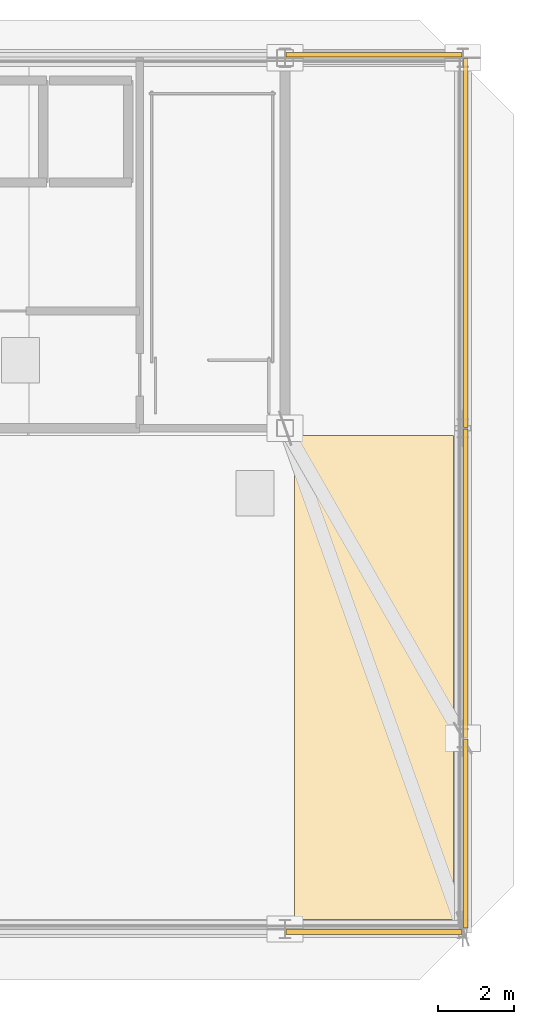
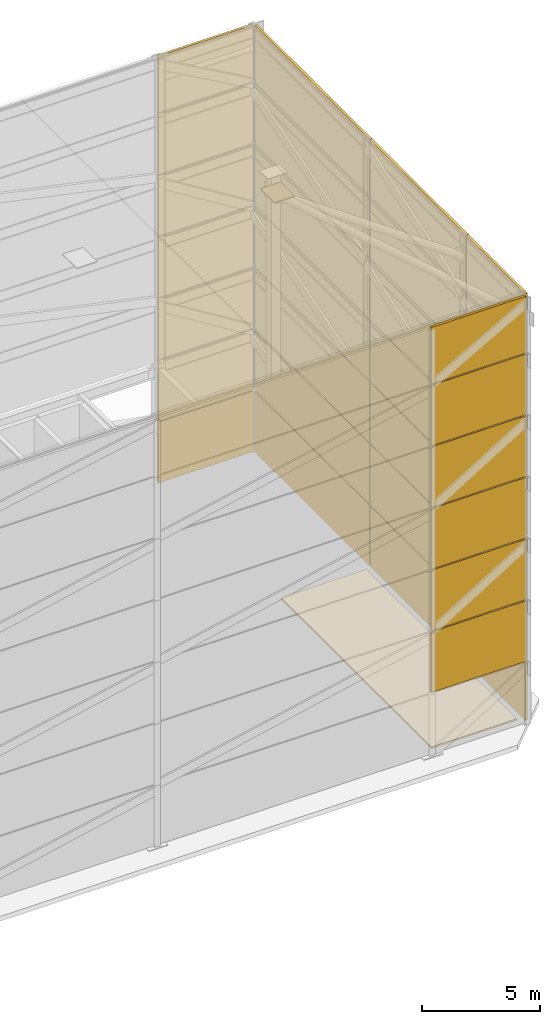
# One storey, part 8 of 8: 34 shading devices, 1 covering.
"""IFC4 building model written with IfcOpenShell, lengths in metres."""

from ifc_helpers import new_model, si_unit, direction, frame, origin, origin_2d, place, context, subcontext, project, spatial, polyline, rectangle, outline, extrude, material, layer, layer_set, type_object, element, save


model = new_model("IFC4")

# Units and contexts
model_context = context("Model", 3, precision=1e-05, world=origin(), true_north=direction((0.0, 1.0)))
body_context = subcontext(model_context, "Body", "Model", "MODEL_VIEW")
ifc_project = project(units=[si_unit("LENGTHUNIT", "METRE"), si_unit("AREAUNIT", "SQUARE_METRE"), si_unit("VOLUMEUNIT", "CUBIC_METRE"), si_unit("PLANEANGLEUNIT", "RADIAN"), si_unit("MASSUNIT", "GRAM", prefix="KILO")], contexts=[model_context])

# Site, building, storey
site_placement = place(None, origin())
site = spatial("IfcSite", under=ifc_project, at=site_placement, CompositionType="ELEMENT")
building_placement = place(site_placement, origin())
building = spatial("IfcBuilding", under=site, at=building_placement, Name="Haevon Station Towers", CompositionType="ELEMENT")
storey_placement = place(building_placement, frame((0.0, 0.0, 270.0)))
storey = spatial("IfcBuildingStorey", under=building, at=storey_placement, Name="Roof", CompositionType="ELEMENT", Elevation=270.0)

# Covering
ifc_material_1 = material(Name="SBS modified bitumen roofing", Category="concrete")
ifc_layer_1 = layer(ifc_material_1, 0.080078125)
ifc_layer_set_1 = layer_set([ifc_layer_1], Name="SBS modified bitumen roofing")
covering_type = type_object("IfcCoveringType", Name="COV-ROOF80", PredefinedType="ROOFING", material=ifc_layer_set_1)
covering_placement = place(storey_placement, origin())
element("IfcCovering", 1, at=covering_placement, inside=storey, type_object=covering_type, Name="Roof Waterproofing Membrane 04", PredefinedType="ROOFING", context=body_context, shape_type="SweptSolid", body=[
    extrude(outline(polyline([(51.25, 25.199951171875), (55.449951171875, 25.199951171875), (55.449951171875, 38.0), (51.25, 38.0), (51.25, 25.199951171875)])), origin(), (0.0, 0.0, 1.0), 0.080078125),
])

# Shading devices
ifc_material_2 = material(Name="Anodised aluminium 6063-T6", Category="aluminium")
ifc_layer_2 = layer(ifc_material_2, 0.1201171875)
ifc_layer_set_2 = layer_set([ifc_layer_2], Name="Anodised aluminium 6063-T6")
shading_device_type = type_object("IfcShadingDeviceType", Name="SHD-CRN-LOUVRE", PredefinedType="JALOUSIE", material=ifc_layer_set_2)
shading_device_1_placement = place(storey_placement, frame((55.780029296875, 27.47509765625, 0.0302734375), z_axis=(0.0, 0.0, 1.0), x_axis=(0.0, 1.0, 0.0)))
element("IfcShadingDevice", 2, at=shading_device_1_placement, inside=storey, type_object=shading_device_type, Name="Crown Acoustic Louvre Screen T1-05", PredefinedType="JALOUSIE", context=body_context, shape_type="SweptSolid", body=[
    extrude(rectangle(XDim=5.010009765625, YDim=0.1201171875, at=origin_2d()), origin(), (0.0, 0.0, 1.0), 3.139892578125),
])
shading_device_2_placement = place(storey_placement, frame((55.780029296875, 34.10009765625, 0.0302734375), z_axis=(0.0, 0.0, 1.0), x_axis=(0.0, 1.0, 0.0)))
element("IfcShadingDevice", 3, at=shading_device_2_placement, inside=storey, type_object=shading_device_type, Name="Crown Acoustic Louvre Screen T1-06", PredefinedType="JALOUSIE", context=body_context, shape_type="SweptSolid", body=[
    extrude(rectangle(XDim=8.159912109375, YDim=0.1201171875, at=origin_2d()), origin(), (0.0, 0.0, 1.0), 3.139892578125),
])
shading_device_3_placement = place(storey_placement, frame((55.780029296875, 43.10009765625, 0.0302734375), z_axis=(0.0, 0.0, 1.0), x_axis=(0.0, 1.0, 0.0)))
element("IfcShadingDevice", 4, at=shading_device_3_placement, inside=storey, type_object=shading_device_type, Name="Crown Acoustic Louvre Screen T1-07", PredefinedType="JALOUSIE", context=body_context, shape_type="SweptSolid", body=[
    extrude(rectangle(XDim=9.760009765625, YDim=0.1201171875, at=origin_2d()), origin(), (0.0, 0.0, 1.0), 3.139892578125),
])
for number, where, z_axis, x_axis, name in (
    (5, (53.35009765625, 48.080078125, 0.0302734375), (0.0, 0.0, 1.0), (-1.0, 0.0, 0.0), "Crown Acoustic Louvre Screen T1-08"),
    (6, (53.35009765625, 24.8701171875, 3.22998046875), (0.0, 0.0, 1.0), (1.0, 0.0, 0.0), "Crown Acoustic Louvre Screen T2-04"),
):
    element("IfcShadingDevice", number, at=place(storey_placement, frame(where, z_axis=z_axis, x_axis=x_axis)), inside=storey, type_object=shading_device_type, Name=name, PredefinedType="JALOUSIE", context=body_context, shape_type="SweptSolid", body=[
        extrude(rectangle(XDim=4.659912109375, YDim=0.1201171875, at=origin_2d()), origin(), (0.0, 0.0, 1.0), 3.139892578125),
    ])
shading_device_4_placement = place(storey_placement, frame((55.780029296875, 27.47509765625, 3.22998046875), z_axis=(0.0, 0.0, 1.0), x_axis=(0.0, 1.0, 0.0)))
element("IfcShadingDevice", 7, at=shading_device_4_placement, inside=storey, type_object=shading_device_type, Name="Crown Acoustic Louvre Screen T2-05", PredefinedType="JALOUSIE", context=body_context, shape_type="SweptSolid", body=[
    extrude(rectangle(XDim=5.010009765625, YDim=0.1201171875, at=origin_2d()), origin(), (0.0, 0.0, 1.0), 3.139892578125),
])
shading_device_5_placement = place(storey_placement, frame((55.780029296875, 34.10009765625, 3.22998046875), z_axis=(0.0, 0.0, 1.0), x_axis=(0.0, 1.0, 0.0)))
element("IfcShadingDevice", 8, at=shading_device_5_placement, inside=storey, type_object=shading_device_type, Name="Crown Acoustic Louvre Screen T2-06", PredefinedType="JALOUSIE", context=body_context, shape_type="SweptSolid", body=[
    extrude(rectangle(XDim=8.159912109375, YDim=0.1201171875, at=origin_2d()), origin(), (0.0, 0.0, 1.0), 3.139892578125),
])
shading_device_6_placement = place(storey_placement, frame((55.780029296875, 43.10009765625, 3.22998046875), z_axis=(0.0, 0.0, 1.0), x_axis=(0.0, 1.0, 0.0)))
element("IfcShadingDevice", 9, at=shading_device_6_placement, inside=storey, type_object=shading_device_type, Name="Crown Acoustic Louvre Screen T2-07", PredefinedType="JALOUSIE", context=body_context, shape_type="SweptSolid", body=[
    extrude(rectangle(XDim=9.760009765625, YDim=0.1201171875, at=origin_2d()), origin(), (0.0, 0.0, 1.0), 3.139892578125),
])
for number, where, z_axis, x_axis, name in (
    (10, (53.35009765625, 48.080078125, 3.22998046875), (0.0, 0.0, 1.0), (-1.0, 0.0, 0.0), "Crown Acoustic Louvre Screen T2-08"),
    (11, (53.35009765625, 24.8701171875, 6.43017578125), (0.0, 0.0, 1.0), (1.0, 0.0, 0.0), "Crown Acoustic Louvre Screen T3-04"),
):
    element("IfcShadingDevice", number, at=place(storey_placement, frame(where, z_axis=z_axis, x_axis=x_axis)), inside=storey, type_object=shading_device_type, Name=name, PredefinedType="JALOUSIE", context=body_context, shape_type="SweptSolid", body=[
        extrude(rectangle(XDim=4.659912109375, YDim=0.1201171875, at=origin_2d()), origin(), (0.0, 0.0, 1.0), 3.139892578125),
    ])
shading_device_7_placement = place(storey_placement, frame((55.780029296875, 27.47509765625, 6.43017578125), z_axis=(0.0, 0.0, 1.0), x_axis=(0.0, 1.0, 0.0)))
element("IfcShadingDevice", 12, at=shading_device_7_placement, inside=storey, type_object=shading_device_type, Name="Crown Acoustic Louvre Screen T3-05", PredefinedType="JALOUSIE", context=body_context, shape_type="SweptSolid", body=[
    extrude(rectangle(XDim=5.010009765625, YDim=0.1201171875, at=origin_2d()), origin(), (0.0, 0.0, 1.0), 3.139892578125),
])
shading_device_8_placement = place(storey_placement, frame((55.780029296875, 34.10009765625, 6.43017578125), z_axis=(0.0, 0.0, 1.0), x_axis=(0.0, 1.0, 0.0)))
element("IfcShadingDevice", 13, at=shading_device_8_placement, inside=storey, type_object=shading_device_type, Name="Crown Acoustic Louvre Screen T3-06", PredefinedType="JALOUSIE", context=body_context, shape_type="SweptSolid", body=[
    extrude(rectangle(XDim=8.159912109375, YDim=0.1201171875, at=origin_2d()), origin(), (0.0, 0.0, 1.0), 3.139892578125),
])
shading_device_9_placement = place(storey_placement, frame((55.780029296875, 43.10009765625, 6.43017578125), z_axis=(0.0, 0.0, 1.0), x_axis=(0.0, 1.0, 0.0)))
element("IfcShadingDevice", 14, at=shading_device_9_placement, inside=storey, type_object=shading_device_type, Name="Crown Acoustic Louvre Screen T3-07", PredefinedType="JALOUSIE", context=body_context, shape_type="SweptSolid", body=[
    extrude(rectangle(XDim=9.760009765625, YDim=0.1201171875, at=origin_2d()), origin(), (0.0, 0.0, 1.0), 3.139892578125),
])
for number, where, z_axis, x_axis, name in (
    (15, (53.35009765625, 48.080078125, 6.43017578125), (0.0, 0.0, 1.0), (-1.0, 0.0, 0.0), "Crown Acoustic Louvre Screen T3-08"),
    (16, (53.35009765625, 24.8701171875, 9.6298828125), (0.0, 0.0, 1.0), (1.0, 0.0, 0.0), "Crown Acoustic Louvre Screen T4-04"),
):
    element("IfcShadingDevice", number, at=place(storey_placement, frame(where, z_axis=z_axis, x_axis=x_axis)), inside=storey, type_object=shading_device_type, Name=name, PredefinedType="JALOUSIE", context=body_context, shape_type="SweptSolid", body=[
        extrude(rectangle(XDim=4.659912109375, YDim=0.1201171875, at=origin_2d()), origin(), (0.0, 0.0, 1.0), 3.139892578125),
    ])
shading_device_10_placement = place(storey_placement, frame((55.780029296875, 27.47509765625, 9.6298828125), z_axis=(0.0, 0.0, 1.0), x_axis=(0.0, 1.0, 0.0)))
element("IfcShadingDevice", 17, at=shading_device_10_placement, inside=storey, type_object=shading_device_type, Name="Crown Acoustic Louvre Screen T4-05", PredefinedType="JALOUSIE", context=body_context, shape_type="SweptSolid", body=[
    extrude(rectangle(XDim=5.010009765625, YDim=0.1201171875, at=origin_2d()), origin(), (0.0, 0.0, 1.0), 3.139892578125),
])
shading_device_11_placement = place(storey_placement, frame((55.780029296875, 34.10009765625, 9.6298828125), z_axis=(0.0, 0.0, 1.0), x_axis=(0.0, 1.0, 0.0)))
element("IfcShadingDevice", 18, at=shading_device_11_placement, inside=storey, type_object=shading_device_type, Name="Crown Acoustic Louvre Screen T4-06", PredefinedType="JALOUSIE", context=body_context, shape_type="SweptSolid", body=[
    extrude(rectangle(XDim=8.159912109375, YDim=0.1201171875, at=origin_2d()), origin(), (0.0, 0.0, 1.0), 3.139892578125),
])
shading_device_12_placement = place(storey_placement, frame((55.780029296875, 43.10009765625, 9.6298828125), z_axis=(0.0, 0.0, 1.0), x_axis=(0.0, 1.0, 0.0)))
element("IfcShadingDevice", 19, at=shading_device_12_placement, inside=storey, type_object=shading_device_type, Name="Crown Acoustic Louvre Screen T4-07", PredefinedType="JALOUSIE", context=body_context, shape_type="SweptSolid", body=[
    extrude(rectangle(XDim=9.760009765625, YDim=0.1201171875, at=origin_2d()), origin(), (0.0, 0.0, 1.0), 3.139892578125),
])
for number, where, z_axis, x_axis, name in (
    (20, (53.35009765625, 48.080078125, 9.6298828125), (0.0, 0.0, 1.0), (-1.0, 0.0, 0.0), "Crown Acoustic Louvre Screen T4-08"),
    (21, (53.35009765625, 24.8701171875, 12.830078125), (0.0, 0.0, 1.0), (1.0, 0.0, 0.0), "Crown Acoustic Louvre Screen T5-04"),
):
    element("IfcShadingDevice", number, at=place(storey_placement, frame(where, z_axis=z_axis, x_axis=x_axis)), inside=storey, type_object=shading_device_type, Name=name, PredefinedType="JALOUSIE", context=body_context, shape_type="SweptSolid", body=[
        extrude(rectangle(XDim=4.659912109375, YDim=0.1201171875, at=origin_2d()), origin(), (0.0, 0.0, 1.0), 3.139892578125),
    ])
shading_device_13_placement = place(storey_placement, frame((55.780029296875, 27.47509765625, 12.830078125), z_axis=(0.0, 0.0, 1.0), x_axis=(0.0, 1.0, 0.0)))
element("IfcShadingDevice", 22, at=shading_device_13_placement, inside=storey, type_object=shading_device_type, Name="Crown Acoustic Louvre Screen T5-05", PredefinedType="JALOUSIE", context=body_context, shape_type="SweptSolid", body=[
    extrude(rectangle(XDim=5.010009765625, YDim=0.1201171875, at=origin_2d()), origin(), (0.0, 0.0, 1.0), 3.139892578125),
])
shading_device_14_placement = place(storey_placement, frame((55.780029296875, 34.10009765625, 12.830078125), z_axis=(0.0, 0.0, 1.0), x_axis=(0.0, 1.0, 0.0)))
element("IfcShadingDevice", 23, at=shading_device_14_placement, inside=storey, type_object=shading_device_type, Name="Crown Acoustic Louvre Screen T5-06", PredefinedType="JALOUSIE", context=body_context, shape_type="SweptSolid", body=[
    extrude(rectangle(XDim=8.159912109375, YDim=0.1201171875, at=origin_2d()), origin(), (0.0, 0.0, 1.0), 3.139892578125),
])
shading_device_15_placement = place(storey_placement, frame((55.780029296875, 43.10009765625, 12.830078125), z_axis=(0.0, 0.0, 1.0), x_axis=(0.0, 1.0, 0.0)))
element("IfcShadingDevice", 24, at=shading_device_15_placement, inside=storey, type_object=shading_device_type, Name="Crown Acoustic Louvre Screen T5-07", PredefinedType="JALOUSIE", context=body_context, shape_type="SweptSolid", body=[
    extrude(rectangle(XDim=9.760009765625, YDim=0.1201171875, at=origin_2d()), origin(), (0.0, 0.0, 1.0), 3.139892578125),
])
for number, where, z_axis, x_axis, name in (
    (25, (53.35009765625, 48.080078125, 12.830078125), (0.0, 0.0, 1.0), (-1.0, 0.0, 0.0), "Crown Acoustic Louvre Screen T5-08"),
    (26, (53.35009765625, 24.8701171875, 16.0302734375), (0.0, 0.0, 1.0), (1.0, 0.0, 0.0), "Crown Acoustic Louvre Screen T6-04"),
):
    element("IfcShadingDevice", number, at=place(storey_placement, frame(where, z_axis=z_axis, x_axis=x_axis)), inside=storey, type_object=shading_device_type, Name=name, PredefinedType="JALOUSIE", context=body_context, shape_type="SweptSolid", body=[
        extrude(rectangle(XDim=4.659912109375, YDim=0.1201171875, at=origin_2d()), origin(), (0.0, 0.0, 1.0), 3.139892578125),
    ])
shading_device_16_placement = place(storey_placement, frame((55.780029296875, 27.47509765625, 16.0302734375), z_axis=(0.0, 0.0, 1.0), x_axis=(0.0, 1.0, 0.0)))
element("IfcShadingDevice", 27, at=shading_device_16_placement, inside=storey, type_object=shading_device_type, Name="Crown Acoustic Louvre Screen T6-05", PredefinedType="JALOUSIE", context=body_context, shape_type="SweptSolid", body=[
    extrude(rectangle(XDim=5.010009765625, YDim=0.1201171875, at=origin_2d()), origin(), (0.0, 0.0, 1.0), 3.139892578125),
])
shading_device_17_placement = place(storey_placement, frame((55.780029296875, 34.10009765625, 16.0302734375), z_axis=(0.0, 0.0, 1.0), x_axis=(0.0, 1.0, 0.0)))
element("IfcShadingDevice", 28, at=shading_device_17_placement, inside=storey, type_object=shading_device_type, Name="Crown Acoustic Louvre Screen T6-06", PredefinedType="JALOUSIE", context=body_context, shape_type="SweptSolid", body=[
    extrude(rectangle(XDim=8.159912109375, YDim=0.1201171875, at=origin_2d()), origin(), (0.0, 0.0, 1.0), 3.139892578125),
])
shading_device_18_placement = place(storey_placement, frame((55.780029296875, 43.10009765625, 16.0302734375), z_axis=(0.0, 0.0, 1.0), x_axis=(0.0, 1.0, 0.0)))
element("IfcShadingDevice", 29, at=shading_device_18_placement, inside=storey, type_object=shading_device_type, Name="Crown Acoustic Louvre Screen T6-07", PredefinedType="JALOUSIE", context=body_context, shape_type="SweptSolid", body=[
    extrude(rectangle(XDim=9.760009765625, YDim=0.1201171875, at=origin_2d()), origin(), (0.0, 0.0, 1.0), 3.139892578125),
])
shading_device_19_placement = place(storey_placement, frame((53.35009765625, 48.080078125, 16.0302734375), z_axis=(0.0, 0.0, 1.0), x_axis=(-1.0, 0.0, 0.0)))
element("IfcShadingDevice", 30, at=shading_device_19_placement, inside=storey, type_object=shading_device_type, Name="Crown Acoustic Louvre Screen T6-08", PredefinedType="JALOUSIE", context=body_context, shape_type="SweptSolid", body=[
    extrude(rectangle(XDim=4.659912109375, YDim=0.1201171875, at=origin_2d()), origin(), (0.0, 0.0, 1.0), 3.139892578125),
])
shading_device_20_placement = place(storey_placement, frame((53.35009765625, 24.8701171875, 19.22998046875), z_axis=(0.0, 0.0, 1.0), x_axis=(1.0, 0.0, 0.0)))
element("IfcShadingDevice", 31, at=shading_device_20_placement, inside=storey, type_object=shading_device_type, Name="Crown Acoustic Louvre Screen T7-04", PredefinedType="JALOUSIE", context=body_context, shape_type="SweptSolid", body=[
    extrude(rectangle(XDim=4.659912109375, YDim=0.1201171875, at=origin_2d()), origin(), (0.0, 0.0, 1.0), 2.93994140625),
])
shading_device_21_placement = place(storey_placement, frame((55.780029296875, 27.47509765625, 19.22998046875), z_axis=(0.0, 0.0, 1.0), x_axis=(0.0, 1.0, 0.0)))
element("IfcShadingDevice", 32, at=shading_device_21_placement, inside=storey, type_object=shading_device_type, Name="Crown Acoustic Louvre Screen T7-05", PredefinedType="JALOUSIE", context=body_context, shape_type="SweptSolid", body=[
    extrude(rectangle(XDim=5.010009765625, YDim=0.1201171875, at=origin_2d()), origin(), (0.0, 0.0, 1.0), 2.93994140625),
])
shading_device_22_placement = place(storey_placement, frame((55.780029296875, 34.10009765625, 19.22998046875), z_axis=(0.0, 0.0, 1.0), x_axis=(0.0, 1.0, 0.0)))
element("IfcShadingDevice", 33, at=shading_device_22_placement, inside=storey, type_object=shading_device_type, Name="Crown Acoustic Louvre Screen T7-06", PredefinedType="JALOUSIE", context=body_context, shape_type="SweptSolid", body=[
    extrude(rectangle(XDim=8.159912109375, YDim=0.1201171875, at=origin_2d()), origin(), (0.0, 0.0, 1.0), 2.93994140625),
])
shading_device_23_placement = place(storey_placement, frame((55.780029296875, 43.10009765625, 19.22998046875), z_axis=(0.0, 0.0, 1.0), x_axis=(0.0, 1.0, 0.0)))
element("IfcShadingDevice", 34, at=shading_device_23_placement, inside=storey, type_object=shading_device_type, Name="Crown Acoustic Louvre Screen T7-07", PredefinedType="JALOUSIE", context=body_context, shape_type="SweptSolid", body=[
    extrude(rectangle(XDim=9.760009765625, YDim=0.1201171875, at=origin_2d()), origin(), (0.0, 0.0, 1.0), 2.93994140625),
])
shading_device_24_placement = place(storey_placement, frame((53.35009765625, 48.080078125, 19.22998046875), z_axis=(0.0, 0.0, 1.0), x_axis=(-1.0, 0.0, 0.0)))
element("IfcShadingDevice", 35, at=shading_device_24_placement, inside=storey, type_object=shading_device_type, Name="Crown Acoustic Louvre Screen T7-08", PredefinedType="JALOUSIE", context=body_context, shape_type="SweptSolid", body=[
    extrude(rectangle(XDim=4.659912109375, YDim=0.1201171875, at=origin_2d()), origin(), (0.0, 0.0, 1.0), 2.93994140625),
])

save(model, "model.ifc")
